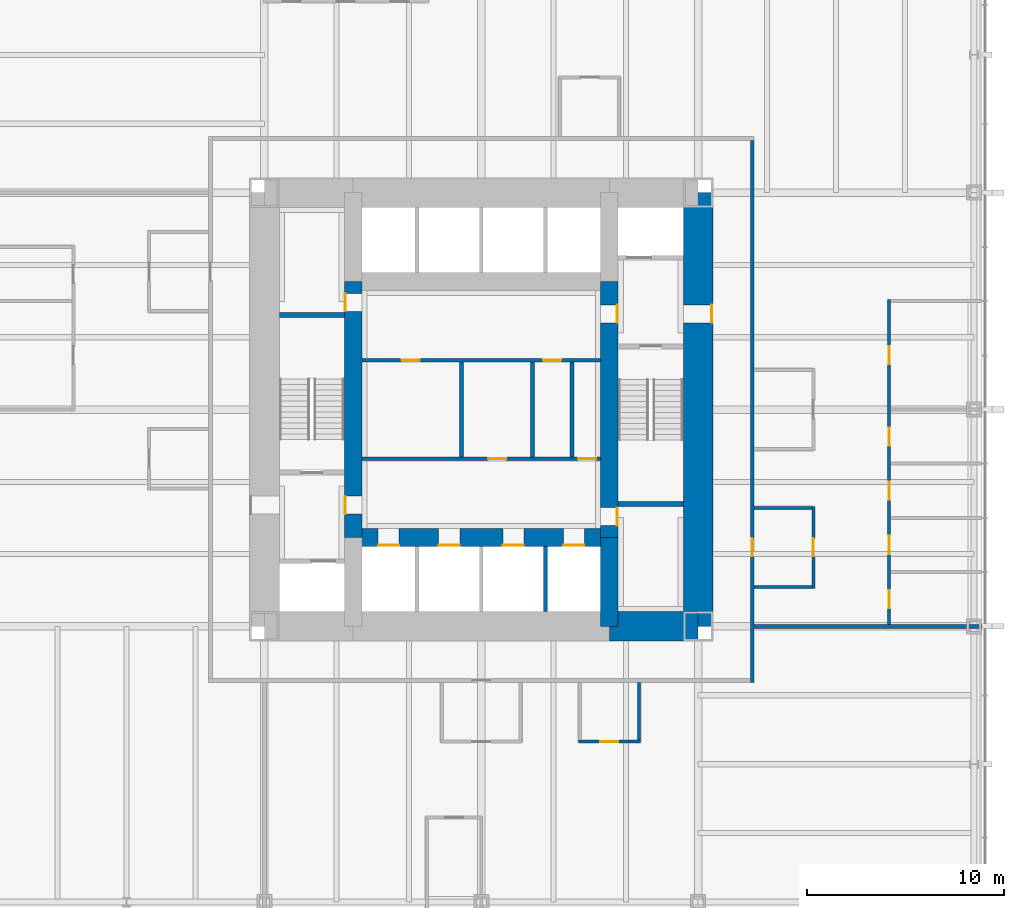
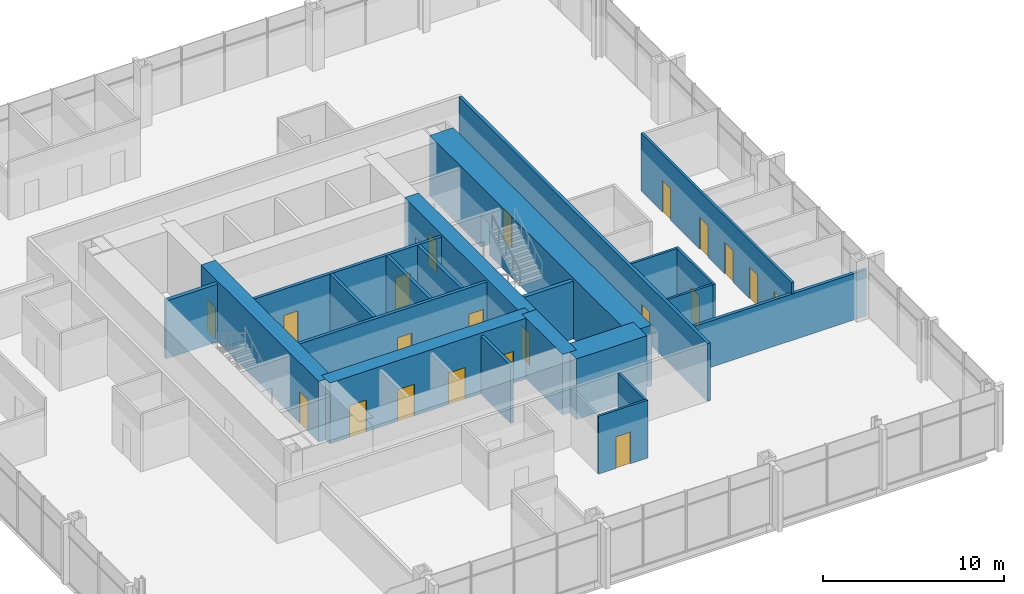
# One storey, part 10 of 12: 22 walls, 21 doors, 21 openings.
"""IFC4 building model written with IfcOpenShell, lengths in metres."""

from ifc_helpers import new_model, si_unit, direction, frame, frame_2d, origin, place, context, subcontext, project, spatial, rectangle, extrude, material, layer, layer_set, type_object, element, fill, save


model = new_model("IFC4")

# Units and contexts
model_context = context("Model", 3, precision=1e-05, world=origin(), true_north=direction((0.0, 1.0)))
body_context = subcontext(model_context, "Body", "Model", "MODEL_VIEW")
ifc_project = project(units=[si_unit("LENGTHUNIT", "METRE"), si_unit("AREAUNIT", "SQUARE_METRE"), si_unit("VOLUMEUNIT", "CUBIC_METRE"), si_unit("PLANEANGLEUNIT", "RADIAN"), si_unit("MASSUNIT", "GRAM", prefix="KILO")], contexts=[model_context])

# Site, building, storey
site_placement = place(None, origin())
site = spatial("IfcSite", under=ifc_project, at=site_placement, CompositionType="ELEMENT")
building_placement = place(site_placement, origin())
building = spatial("IfcBuilding", under=site, at=building_placement, Name="Trevanion Tower", CompositionType="ELEMENT")
storey_placement = place(building_placement, frame((0.0, 0.0, 32.39990234375)))
storey = spatial("IfcBuildingStorey", under=building, at=storey_placement, Name="L07", CompositionType="ELEMENT", Elevation=32.39990234375)

# Wall, opening, door
ifc_material_1 = material(Name="Concrete 10,000 psi", Category="concrete")
ifc_layer_1 = layer(ifc_material_1, 1.5)
ifc_layer_set_1 = layer_set([ifc_layer_1], Name="CW1 core wall 1500")
wall_type_1 = type_object("IfcWallType", Name="CW1 core wall 1500", PredefinedType="SHEAR", material=ifc_layer_set_1)
wall_1_placement = place(storey_placement, frame((11.0, -11.0, 0.0), z_axis=(0.0, 0.0, 1.0), x_axis=(0.0, 1.0, 0.0)))
wall_1 = element("IfcWall", 1, at=wall_1_placement, inside=storey, type_object=wall_type_1, Name="CW1 CE L07", PredefinedType="SHEAR", context=body_context, shape_type="SweptSolid", body=[
    extrude(rectangle(XDim=22.0, YDim=1.5, at=frame_2d((11.0, 0.0))), origin(), (0.0, 0.0, 1.0), 4.10009765625),
])
opening_1_placement = place(wall_1_placement, frame((15.392578125, 0.0, 0.0)))
opening_1 = element("IfcOpeningElement", 2, at=opening_1_placement, cuts=wall_1, Name="Opening 07-001", PredefinedType="OPENING", context=body_context, shape_type="SweptSolid", body=[
    extrude(rectangle(XDim=0.9150390625, YDim=2.134033203125, at=frame_2d((0.45751953125, 1.06689453125))), frame((0.0, 0.760009765625, 0.0), z_axis=(0.0, -1.0, 0.0), x_axis=(1.0, 0.0, 0.0)), (0.0, 0.0, 1.0), 1.52001953125),
])
ifc_material_2 = material(Name="Hollow metal, fire rated", Category="steel")
door_type_1 = type_object("IfcDoorType", Name="D3 fire lift lobby door", OperationType="SINGLE_SWING_RIGHT", PredefinedType="DOOR", material=ifc_material_2)
door_1_placement = place(opening_1_placement, origin())
door_1 = element("IfcDoor", 3, at=door_1_placement, inside=storey, type_object=door_type_1, Name="Door 07-001", OperationType="SINGLE_SWING_RIGHT", OverallHeight=2.134033203125, OverallWidth=0.9150390625, PredefinedType="DOOR", context=body_context, shape_type="SweptSolid", body=[
    extrude(rectangle(XDim=0.9150390625, YDim=2.134033203125, at=frame_2d((0.45751953125, 1.06689453125))), frame((0.0, -0.6748046875, 0.0), z_axis=(0.0, -1.0, 0.0), x_axis=(1.0, 0.0, 0.0)), (0.0, 0.0, 1.0), 0.050048828125),
])
fill(opening_1, door_1)

# Walls
wall_2_placement = place(storey_placement, frame((6.5, -11.0, 0.0), z_axis=(0.0, 0.0, 1.0), x_axis=(1.0, 0.0, 0.0)))
element("IfcWall", 4, at=wall_2_placement, inside=storey, type_object=wall_type_1, Name="CW1 CS3 L07", PredefinedType="SHEAR", context=body_context, shape_type="SweptSolid", body=[
    extrude(rectangle(XDim=4.5, YDim=1.5, at=frame_2d((2.25, 0.0))), origin(), (0.0, 0.0, 1.0), 4.10009765625),
])
ifc_material_3 = material(Name="Concrete 10,000 psi", Category="concrete")
ifc_layer_2 = layer(ifc_material_3, 0.89990234375)
ifc_layer_set_2 = layer_set([ifc_layer_2], Name="CW2 core wall 900")
wall_type_2 = type_object("IfcWallType", Name="CW2 core wall 900", PredefinedType="SHEAR", material=ifc_layer_set_2)
wall_3_placement = place(storey_placement, frame((6.5, -11.0, 0.0), z_axis=(0.0, 0.0, 1.0), x_axis=(0.0, 1.0, 0.0)))
element("IfcWall", 5, at=wall_3_placement, inside=storey, type_object=wall_type_2, Name="CW2 RE1 L07", PredefinedType="SHEAR", context=body_context, shape_type="SweptSolid", body=[
    extrude(rectangle(XDim=4.5, YDim=0.89990234375, at=frame_2d((2.25, 0.0))), origin(), (0.0, 0.0, 1.0), 4.10009765625),
])

# Wall, openings, doors
wall_4_placement = place(storey_placement, frame((6.5, -6.5, 0.0), z_axis=(0.0, 0.0, 1.0), x_axis=(0.0, 1.0, 0.0)))
wall_4 = element("IfcWall", 6, at=wall_4_placement, inside=storey, type_object=wall_type_2, Name="CW2 RE2 L07", PredefinedType="SHEAR", context=body_context, shape_type="SweptSolid", body=[
    extrude(rectangle(XDim=13.0, YDim=0.89990234375, at=frame_2d((6.5, 0.0))), origin(), (0.0, 0.0, 1.0), 4.10009765625),
])
opening_2_placement = place(wall_4_placement, frame((10.892578125, 0.0, 0.0)))
opening_2 = element("IfcOpeningElement", 7, at=opening_2_placement, cuts=wall_4, Name="Opening 07-003", PredefinedType="OPENING", context=body_context, shape_type="SweptSolid", body=[
    extrude(rectangle(XDim=0.9150390625, YDim=2.134033203125, at=frame_2d((0.45751953125, 1.06689453125))), frame((0.0, 0.4599609375, 0.0), z_axis=(0.0, -1.0, 0.0), x_axis=(1.0, 0.0, 0.0)), (0.0, 0.0, 1.0), 0.919921875),
])
opening_3_placement = place(wall_4_placement, frame((0.610107421875, 0.0, 0.0)))
opening_3 = element("IfcOpeningElement", 8, at=opening_3_placement, cuts=wall_4, Name="Opening 07-009", PredefinedType="OPENING", context=body_context, shape_type="SweptSolid", body=[
    extrude(rectangle(XDim=0.9150390625, YDim=2.134033203125, at=frame_2d((0.45751953125, 1.06689453125))), frame((0.0, 0.4599609375, 0.0), z_axis=(0.0, -1.0, 0.0), x_axis=(1.0, 0.0, 0.0)), (0.0, 0.0, 1.0), 0.919921875),
])
door_2_placement = place(opening_2_placement, origin())
door_2 = element("IfcDoor", 9, at=door_2_placement, inside=storey, type_object=door_type_1, Name="Door 07-003", OperationType="SINGLE_SWING_RIGHT", OverallHeight=2.134033203125, OverallWidth=0.9150390625, PredefinedType="DOOR", context=body_context, shape_type="SweptSolid", body=[
    extrude(rectangle(XDim=0.9150390625, YDim=2.134033203125, at=frame_2d((0.45751953125, 1.06689453125))), frame((0.0, -0.375, 0.0), z_axis=(0.0, -1.0, 0.0), x_axis=(1.0, 0.0, 0.0)), (0.0, 0.0, 1.0), 0.050048828125),
])
fill(opening_2, door_2)
ifc_material_4 = material(Name="Hollow metal, fire rated", Category="steel")
door_type_2 = type_object("IfcDoorType", Name="D5 service room door", OperationType="SINGLE_SWING_RIGHT", PredefinedType="DOOR", material=ifc_material_4)
door_3_placement = place(opening_3_placement, origin())
door_3 = element("IfcDoor", 10, at=door_3_placement, inside=storey, type_object=door_type_2, Name="Door 07-009", OperationType="SINGLE_SWING_RIGHT", OverallHeight=2.134033203125, OverallWidth=0.9150390625, PredefinedType="DOOR", context=body_context, shape_type="SweptSolid", body=[
    extrude(rectangle(XDim=0.9150390625, YDim=2.134033203125, at=frame_2d((0.45751953125, 1.06689453125))), frame((0.0, -0.375, 0.0), z_axis=(0.0, -1.0, 0.0), x_axis=(1.0, 0.0, 0.0)), (0.0, 0.0, 1.0), 0.050048828125),
])
fill(opening_3, door_3)

wall_5_placement = place(storey_placement, frame((-6.5, 6.5, 0.0), z_axis=(0.0, 0.0, 1.0), x_axis=(0.0, -1.0, 0.0)))
wall_5 = element("IfcWall", 11, at=wall_5_placement, inside=storey, type_object=wall_type_2, Name="CW2 RW2 L07", PredefinedType="SHEAR", context=body_context, shape_type="SweptSolid", body=[
    extrude(rectangle(XDim=13.0, YDim=0.89990234375, at=frame_2d((6.5, 0.0))), origin(), (0.0, 0.0, 1.0), 4.10009765625),
])
opening_4_placement = place(wall_5_placement, frame((10.892578125, 0.0, 0.0)))
opening_4 = element("IfcOpeningElement", 12, at=opening_4_placement, cuts=wall_5, Name="Opening 07-004", PredefinedType="OPENING", context=body_context, shape_type="SweptSolid", body=[
    extrude(rectangle(XDim=0.9150390625, YDim=2.134033203125, at=frame_2d((0.45751953125, 1.06689453125))), frame((0.0, 0.4599609375, 0.0), z_axis=(0.0, -1.0, 0.0), x_axis=(1.0, 0.0, 0.0)), (0.0, 0.0, 1.0), 0.919921875),
])
opening_5_placement = place(wall_5_placement, frame((0.610107421875, 0.0, 0.0)))
opening_5 = element("IfcOpeningElement", 13, at=opening_5_placement, cuts=wall_5, Name="Opening 07-010", PredefinedType="OPENING", context=body_context, shape_type="SweptSolid", body=[
    extrude(rectangle(XDim=0.9150390625, YDim=2.134033203125, at=frame_2d((0.45751953125, 1.06689453125))), frame((0.0, 0.4599609375, 0.0), z_axis=(0.0, -1.0, 0.0), x_axis=(1.0, 0.0, 0.0)), (0.0, 0.0, 1.0), 0.919921875),
])
door_4_placement = place(opening_4_placement, origin())
door_4 = element("IfcDoor", 14, at=door_4_placement, inside=storey, type_object=door_type_1, Name="Door 07-004", OperationType="SINGLE_SWING_RIGHT", OverallHeight=2.134033203125, OverallWidth=0.9150390625, PredefinedType="DOOR", context=body_context, shape_type="SweptSolid", body=[
    extrude(rectangle(XDim=0.9150390625, YDim=2.134033203125, at=frame_2d((0.45751953125, 1.06689453125))), frame((0.0, -0.375, 0.0), z_axis=(0.0, -1.0, 0.0), x_axis=(1.0, 0.0, 0.0)), (0.0, 0.0, 1.0), 0.050048828125),
])
fill(opening_4, door_4)
door_5_placement = place(opening_5_placement, origin())
door_5 = element("IfcDoor", 15, at=door_5_placement, inside=storey, type_object=door_type_2, Name="Door 07-010", OperationType="SINGLE_SWING_RIGHT", OverallHeight=2.134033203125, OverallWidth=0.9150390625, PredefinedType="DOOR", context=body_context, shape_type="SweptSolid", body=[
    extrude(rectangle(XDim=0.9150390625, YDim=2.134033203125, at=frame_2d((0.45751953125, 1.06689453125))), frame((0.0, -0.375, 0.0), z_axis=(0.0, -1.0, 0.0), x_axis=(1.0, 0.0, 0.0)), (0.0, 0.0, 1.0), 0.050048828125),
])
fill(opening_5, door_5)

wall_6_placement = place(storey_placement, frame((-6.5, -6.5, 0.0), z_axis=(0.0, 0.0, 1.0), x_axis=(1.0, 0.0, 0.0)))
wall_6 = element("IfcWall", 16, at=wall_6_placement, inside=storey, type_object=wall_type_2, Name="CW2 RS L07", PredefinedType="SHEAR", context=body_context, shape_type="SweptSolid", body=[
    extrude(rectangle(XDim=13.0, YDim=0.89990234375, at=frame_2d((6.5, 0.0))), origin(), (0.0, 0.0, 1.0), 4.10009765625),
])
opening_6_placement = place(wall_6_placement, frame((1.2666015625, 0.0, 0.0)))
opening_6 = element("IfcOpeningElement", 17, at=opening_6_placement, cuts=wall_6, Name="Opening 07-011", PredefinedType="OPENING", context=body_context, shape_type="SweptSolid", body=[
    extrude(rectangle(XDim=1.06689453125, YDim=2.134033203125, at=frame_2d((0.533447265625, 1.06689453125))), frame((0.0, 0.4599609375, 0.0), z_axis=(0.0, -1.0, 0.0), x_axis=(1.0, 0.0, 0.0)), (0.0, 0.0, 1.0), 0.919921875),
])
opening_7_placement = place(wall_6_placement, frame((4.341552734375, 0.0, 0.0)))
opening_7 = element("IfcOpeningElement", 18, at=opening_7_placement, cuts=wall_6, Name="Opening 07-012", PredefinedType="OPENING", context=body_context, shape_type="SweptSolid", body=[
    extrude(rectangle(XDim=1.06689453125, YDim=2.134033203125, at=frame_2d((0.533447265625, 1.06689453125))), frame((0.0, 0.4599609375, 0.0), z_axis=(0.0, -1.0, 0.0), x_axis=(1.0, 0.0, 0.0)), (0.0, 0.0, 1.0), 0.919921875),
])
opening_8_placement = place(wall_6_placement, frame((7.591552734375, 0.0, 0.0)))
opening_8 = element("IfcOpeningElement", 19, at=opening_8_placement, cuts=wall_6, Name="Opening 07-013", PredefinedType="OPENING", context=body_context, shape_type="SweptSolid", body=[
    extrude(rectangle(XDim=1.06689453125, YDim=2.134033203125, at=frame_2d((0.533447265625, 1.06689453125))), frame((0.0, 0.4599609375, 0.0), z_axis=(0.0, -1.0, 0.0), x_axis=(1.0, 0.0, 0.0)), (0.0, 0.0, 1.0), 0.919921875),
])
opening_9_placement = place(wall_6_placement, frame((10.66650390625, 0.0, 0.0)))
opening_9 = element("IfcOpeningElement", 20, at=opening_9_placement, cuts=wall_6, Name="Opening 07-014", PredefinedType="OPENING", context=body_context, shape_type="SweptSolid", body=[
    extrude(rectangle(XDim=1.06689453125, YDim=2.134033203125, at=frame_2d((0.533447265625, 1.06689453125))), frame((0.0, 0.4599609375, 0.0), z_axis=(0.0, -1.0, 0.0), x_axis=(1.0, 0.0, 0.0)), (0.0, 0.0, 1.0), 0.919921875),
])
ifc_material_5 = material(Name="Stainless steel, fire rated", Category="steel")
door_type_3 = type_object("IfcDoorType", Name="LD1 lift landing door", OperationType="SLIDING_TO_LEFT", PredefinedType="DOOR", material=ifc_material_5)
door_6_placement = place(opening_6_placement, origin())
door_6 = element("IfcDoor", 21, at=door_6_placement, inside=storey, type_object=door_type_3, Name="Door 07-011", OperationType="SLIDING_TO_LEFT", OverallHeight=2.134033203125, OverallWidth=1.06689453125, PredefinedType="DOOR", context=body_context, shape_type="SweptSolid", body=[
    extrude(rectangle(XDim=1.06689453125, YDim=2.134033203125, at=frame_2d((0.533447265625, 1.06689453125))), frame((0.0, -0.375, 0.0), z_axis=(0.0, -1.0, 0.0), x_axis=(1.0, 0.0, 0.0)), (0.0, 0.0, 1.0), 0.050048828125),
])
fill(opening_6, door_6)
door_7_placement = place(opening_7_placement, origin())
door_7 = element("IfcDoor", 22, at=door_7_placement, inside=storey, type_object=door_type_3, Name="Door 07-012", OperationType="SLIDING_TO_LEFT", OverallHeight=2.134033203125, OverallWidth=1.06689453125, PredefinedType="DOOR", context=body_context, shape_type="SweptSolid", body=[
    extrude(rectangle(XDim=1.06689453125, YDim=2.134033203125, at=frame_2d((0.533447265625, 1.06689453125))), frame((0.0, -0.375, 0.0), z_axis=(0.0, -1.0, 0.0), x_axis=(1.0, 0.0, 0.0)), (0.0, 0.0, 1.0), 0.050048828125),
])
fill(opening_7, door_7)
door_8_placement = place(opening_8_placement, origin())
door_8 = element("IfcDoor", 23, at=door_8_placement, inside=storey, type_object=door_type_3, Name="Door 07-013", OperationType="SLIDING_TO_LEFT", OverallHeight=2.134033203125, OverallWidth=1.06689453125, PredefinedType="DOOR", context=body_context, shape_type="SweptSolid", body=[
    extrude(rectangle(XDim=1.06689453125, YDim=2.134033203125, at=frame_2d((0.533447265625, 1.06689453125))), frame((0.0, -0.375, 0.0), z_axis=(0.0, -1.0, 0.0), x_axis=(1.0, 0.0, 0.0)), (0.0, 0.0, 1.0), 0.050048828125),
])
fill(opening_8, door_8)
door_9_placement = place(opening_9_placement, origin())
door_9 = element("IfcDoor", 24, at=door_9_placement, inside=storey, type_object=door_type_3, Name="Door 07-014", OperationType="SLIDING_TO_LEFT", OverallHeight=2.134033203125, OverallWidth=1.06689453125, PredefinedType="DOOR", context=body_context, shape_type="SweptSolid", body=[
    extrude(rectangle(XDim=1.06689453125, YDim=2.134033203125, at=frame_2d((0.533447265625, 1.06689453125))), frame((0.0, -0.375, 0.0), z_axis=(0.0, -1.0, 0.0), x_axis=(1.0, 0.0, 0.0)), (0.0, 0.0, 1.0), 0.050048828125),
])
fill(opening_9, door_9)

ifc_material_6 = material(Name="Gypsum board on steel studs", Category="steel")
ifc_layer_3 = layer(ifc_material_6, 0.14990234375)
ifc_layer_set_3 = layer_set([ifc_layer_3], Name="PT1 partition 150")
wall_type_3 = type_object("IfcWallType", Name="PT1 partition 150", PredefinedType="PARTITIONING", material=ifc_layer_set_3)
wall_7_placement = place(storey_placement, frame((20.699951171875, -11.074951171875, 0.0), z_axis=(0.0, 0.0, 1.0), x_axis=(0.0, 1.0, 0.0)))
wall_7 = element("IfcWall", 25, at=wall_7_placement, inside=storey, type_object=wall_type_3, Name="PT1 L07 FC0F", PredefinedType="PARTITIONING", context=body_context, shape_type="SweptSolid", body=[
    extrude(rectangle(XDim=16.64990234375, YDim=0.14990234375, at=frame_2d((8.324951171875, 0.0))), origin(), (0.0, 0.0, 1.0), 3.91015625),
])
opening_10_placement = place(wall_7_placement, frame((0.992431640625, 0.0, 0.0)))
opening_10 = element("IfcOpeningElement", 26, at=opening_10_placement, cuts=wall_7, Name="Opening 07-019", PredefinedType="OPENING", context=body_context, shape_type="SweptSolid", body=[
    extrude(rectangle(XDim=0.9150390625, YDim=2.134033203125, at=frame_2d((0.45751953125, 1.06689453125))), frame((0.0, 0.0849609375, 0.0), z_axis=(0.0, -1.0, 0.0), x_axis=(1.0, 0.0, 0.0)), (0.0, 0.0, 1.0), 0.169921875),
])
opening_11_placement = place(wall_7_placement, frame((3.742431640625, 0.0, 0.0)))
opening_11 = element("IfcOpeningElement", 27, at=opening_11_placement, cuts=wall_7, Name="Opening 07-020", PredefinedType="OPENING", context=body_context, shape_type="SweptSolid", body=[
    extrude(rectangle(XDim=0.9150390625, YDim=2.134033203125, at=frame_2d((0.45751953125, 1.06689453125))), frame((0.0, 0.0849609375, 0.0), z_axis=(0.0, -1.0, 0.0), x_axis=(1.0, 0.0, 0.0)), (0.0, 0.0, 1.0), 0.169921875),
])
opening_12_placement = place(wall_7_placement, frame((6.492431640625, 0.0, 0.0)))
opening_12 = element("IfcOpeningElement", 28, at=opening_12_placement, cuts=wall_7, Name="Opening 07-021", PredefinedType="OPENING", context=body_context, shape_type="SweptSolid", body=[
    extrude(rectangle(XDim=0.9150390625, YDim=2.134033203125, at=frame_2d((0.45751953125, 1.06689453125))), frame((0.0, 0.0849609375, 0.0), z_axis=(0.0, -1.0, 0.0), x_axis=(1.0, 0.0, 0.0)), (0.0, 0.0, 1.0), 0.169921875),
])
opening_13_placement = place(wall_7_placement, frame((9.242431640625, 0.0, 0.0)))
opening_13 = element("IfcOpeningElement", 29, at=opening_13_placement, cuts=wall_7, Name="Opening 07-022", PredefinedType="OPENING", context=body_context, shape_type="SweptSolid", body=[
    extrude(rectangle(XDim=0.9150390625, YDim=2.134033203125, at=frame_2d((0.45751953125, 1.06689453125))), frame((0.0, 0.0849609375, 0.0), z_axis=(0.0, -1.0, 0.0), x_axis=(1.0, 0.0, 0.0)), (0.0, 0.0, 1.0), 0.169921875),
])
opening_14_placement = place(wall_7_placement, frame((13.367431640625, 0.0, 0.0)))
opening_14 = element("IfcOpeningElement", 30, at=opening_14_placement, cuts=wall_7, Name="Opening 07-023", PredefinedType="OPENING", context=body_context, shape_type="SweptSolid", body=[
    extrude(rectangle(XDim=0.9150390625, YDim=2.134033203125, at=frame_2d((0.45751953125, 1.06689453125))), frame((0.0, 0.0849609375, 0.0), z_axis=(0.0, -1.0, 0.0), x_axis=(1.0, 0.0, 0.0)), (0.0, 0.0, 1.0), 0.169921875),
])
ifc_material_7 = material(Name="Timber veneer, solid core", Category="wood")
door_type_4 = type_object("IfcDoorType", Name="D1 office and meeting room door", OperationType="SINGLE_SWING_LEFT", PredefinedType="DOOR", material=ifc_material_7)
door_10_placement = place(opening_10_placement, origin())
door_10 = element("IfcDoor", 31, at=door_10_placement, inside=storey, type_object=door_type_4, Name="Door 07-019", OperationType="SINGLE_SWING_LEFT", OverallHeight=2.134033203125, OverallWidth=0.9150390625, PredefinedType="DOOR", context=body_context, shape_type="SweptSolid", body=[
    extrude(rectangle(XDim=0.9150390625, YDim=2.134033203125, at=frame_2d((0.45751953125, 1.06689453125))), frame((0.0, 0.02490234375, 0.0), z_axis=(0.0, -1.0, 0.0), x_axis=(1.0, 0.0, 0.0)), (0.0, 0.0, 1.0), 0.050048828125),
])
fill(opening_10, door_10)
door_11_placement = place(opening_11_placement, origin())
door_11 = element("IfcDoor", 32, at=door_11_placement, inside=storey, type_object=door_type_4, Name="Door 07-020", OperationType="SINGLE_SWING_LEFT", OverallHeight=2.134033203125, OverallWidth=0.9150390625, PredefinedType="DOOR", context=body_context, shape_type="SweptSolid", body=[
    extrude(rectangle(XDim=0.9150390625, YDim=2.134033203125, at=frame_2d((0.45751953125, 1.06689453125))), frame((0.0, 0.02490234375, 0.0), z_axis=(0.0, -1.0, 0.0), x_axis=(1.0, 0.0, 0.0)), (0.0, 0.0, 1.0), 0.050048828125),
])
fill(opening_11, door_11)
door_12_placement = place(opening_12_placement, origin())
door_12 = element("IfcDoor", 33, at=door_12_placement, inside=storey, type_object=door_type_4, Name="Door 07-021", OperationType="SINGLE_SWING_LEFT", OverallHeight=2.134033203125, OverallWidth=0.9150390625, PredefinedType="DOOR", context=body_context, shape_type="SweptSolid", body=[
    extrude(rectangle(XDim=0.9150390625, YDim=2.134033203125, at=frame_2d((0.45751953125, 1.06689453125))), frame((0.0, 0.02490234375, 0.0), z_axis=(0.0, -1.0, 0.0), x_axis=(1.0, 0.0, 0.0)), (0.0, 0.0, 1.0), 0.050048828125),
])
fill(opening_12, door_12)
door_13_placement = place(opening_13_placement, origin())
door_13 = element("IfcDoor", 34, at=door_13_placement, inside=storey, type_object=door_type_4, Name="Door 07-022", OperationType="SINGLE_SWING_LEFT", OverallHeight=2.134033203125, OverallWidth=0.9150390625, PredefinedType="DOOR", context=body_context, shape_type="SweptSolid", body=[
    extrude(rectangle(XDim=0.9150390625, YDim=2.134033203125, at=frame_2d((0.45751953125, 1.06689453125))), frame((0.0, 0.02490234375, 0.0), z_axis=(0.0, -1.0, 0.0), x_axis=(1.0, 0.0, 0.0)), (0.0, 0.0, 1.0), 0.050048828125),
])
fill(opening_13, door_13)
door_14_placement = place(opening_14_placement, origin())
door_14 = element("IfcDoor", 35, at=door_14_placement, inside=storey, type_object=door_type_4, Name="Door 07-023", OperationType="SINGLE_SWING_LEFT", OverallHeight=2.134033203125, OverallWidth=0.9150390625, PredefinedType="DOOR", context=body_context, shape_type="SweptSolid", body=[
    extrude(rectangle(XDim=0.9150390625, YDim=2.134033203125, at=frame_2d((0.45751953125, 1.06689453125))), frame((0.0, 0.02490234375, 0.0), z_axis=(0.0, -1.0, 0.0), x_axis=(1.0, 0.0, 0.0)), (0.0, 0.0, 1.0), 0.050048828125),
])
fill(opening_14, door_14)

# Wall, opening, door
wall_8_placement = place(storey_placement, frame((16.85009765625, -9.074951171875, 0.0), z_axis=(0.0, 0.0, 1.0), x_axis=(0.0, 1.0, 0.0)))
wall_8 = element("IfcWall", 36, at=wall_8_placement, inside=storey, type_object=wall_type_3, Name="PT1 L07 IN00F", PredefinedType="PARTITIONING", context=body_context, shape_type="SweptSolid", body=[
    extrude(rectangle(XDim=4.14990234375, YDim=0.14990234375, at=frame_2d((2.074951171875, 0.0))), origin(), (0.0, 0.0, 1.0), 3.91015625),
])
opening_15_placement = place(wall_8_placement, frame((1.617431640625, 0.0, 0.0)))
opening_15 = element("IfcOpeningElement", 37, at=opening_15_placement, cuts=wall_8, Name="Opening 07-030", PredefinedType="OPENING", context=body_context, shape_type="SweptSolid", body=[
    extrude(rectangle(XDim=0.9150390625, YDim=2.134033203125, at=frame_2d((0.45751953125, 1.06689453125))), frame((0.0, 0.0849609375, 0.0), z_axis=(0.0, -1.0, 0.0), x_axis=(1.0, 0.0, 0.0)), (0.0, 0.0, 1.0), 0.169921875),
])
door_15_placement = place(opening_15_placement, origin())
door_15 = element("IfcDoor", 38, at=door_15_placement, inside=storey, type_object=door_type_4, Name="Door 07-030", OperationType="SINGLE_SWING_LEFT", OverallHeight=2.134033203125, OverallWidth=0.9150390625, PredefinedType="DOOR", context=body_context, shape_type="SweptSolid", body=[
    extrude(rectangle(XDim=0.9150390625, YDim=2.134033203125, at=frame_2d((0.45751953125, 1.06689453125))), frame((0.0, 0.02490234375, 0.0), z_axis=(0.0, -1.0, 0.0), x_axis=(1.0, 0.0, 0.0)), (0.0, 0.0, 1.0), 0.050048828125),
])
fill(opening_15, door_15)

# Walls
for number, where, z_axis, x_axis, name in (
    (39, (16.77490234375, -9.0, 0.0), (0.0, 0.0, 1.0), (-1.0, 0.0, 0.0), "PT1 L07 IN00S0"),
    (40, (16.77490234375, -5.0, 0.0), (0.0, 0.0, 1.0), (-1.0, 0.0, 0.0), "PT1 L07 IN00S1"),
):
    element("IfcWall", number, at=place(storey_placement, frame(where, z_axis=z_axis, x_axis=x_axis)), inside=storey, type_object=wall_type_3, Name=name, PredefinedType="PARTITIONING", context=body_context, shape_type="SweptSolid", body=[
        extrude(rectangle(XDim=2.9248046875, YDim=0.14990234375, at=frame_2d((1.46240234375, 0.0))), origin(), (0.0, 0.0, 1.0), 3.91015625),
    ])

# Wall, opening, door
wall_9_placement = place(storey_placement, frame((4.925048828125, -16.85009765625, 0.0), z_axis=(0.0, 0.0, 1.0), x_axis=(1.0, 0.0, 0.0)))
wall_9 = element("IfcWall", 41, at=wall_9_placement, inside=storey, type_object=wall_type_3, Name="PT1 L07 IN31F", PredefinedType="PARTITIONING", context=body_context, shape_type="SweptSolid", body=[
    extrude(rectangle(XDim=3.14990234375, YDim=0.14990234375, at=frame_2d((1.574951171875, 0.0))), origin(), (0.0, 0.0, 1.0), 3.91015625),
])
opening_16_placement = place(wall_9_placement, frame((1.117431640625, 0.0, 0.0)))
opening_16 = element("IfcOpeningElement", 42, at=opening_16_placement, cuts=wall_9, Name="Opening 07-038", PredefinedType="OPENING", context=body_context, shape_type="SweptSolid", body=[
    extrude(rectangle(XDim=0.9150390625, YDim=2.134033203125, at=frame_2d((0.45751953125, 1.06689453125))), frame((0.0, 0.0849609375, 0.0), z_axis=(0.0, -1.0, 0.0), x_axis=(1.0, 0.0, 0.0)), (0.0, 0.0, 1.0), 0.169921875),
])
door_16_placement = place(opening_16_placement, origin())
door_16 = element("IfcDoor", 43, at=door_16_placement, inside=storey, type_object=door_type_4, Name="Door 07-038", OperationType="SINGLE_SWING_LEFT", OverallHeight=2.134033203125, OverallWidth=0.9150390625, PredefinedType="DOOR", context=body_context, shape_type="SweptSolid", body=[
    extrude(rectangle(XDim=0.9150390625, YDim=2.134033203125, at=frame_2d((0.45751953125, 1.06689453125))), frame((0.0, 0.02490234375, 0.0), z_axis=(0.0, -1.0, 0.0), x_axis=(1.0, 0.0, 0.0)), (0.0, 0.0, 1.0), 0.050048828125),
])
fill(opening_16, door_16)

# Walls
wall_10_placement = place(storey_placement, frame((8.0, -16.77490234375, 0.0), z_axis=(0.0, 0.0, 1.0), x_axis=(0.0, 1.0, 0.0)))
element("IfcWall", 44, at=wall_10_placement, inside=storey, type_object=wall_type_3, Name="PT1 L07 IN31S1", PredefinedType="PARTITIONING", context=body_context, shape_type="SweptSolid", body=[
    extrude(rectangle(XDim=2.9248046875, YDim=0.14990234375, at=frame_2d((1.46240234375, 0.0))), origin(), (0.0, 0.0, 1.0), 3.91015625),
])
ifc_material_8 = material(Name="Concrete masonry, grouted", Category="masonry")
ifc_layer_4 = layer(ifc_material_8, 0.199951171875)
ifc_layer_set_4 = layer_set([ifc_layer_4], Name="PT2 partition 200")
wall_type_4 = type_object("IfcWallType", Name="PT2 partition 200", PredefinedType="PARTITIONING", material=ifc_layer_set_4)
for number, where, z_axis, x_axis, name in (
    (45, (-1.0, -2.39990234375, 0.0), (0.0, 0.0, 1.0), (0.0, 1.0, 0.0), "PT2 L07 TP1"),
    (46, (2.60009765625, -2.39990234375, 0.0), (0.0, 0.0, 1.0), (0.0, 1.0, 0.0), "PT2 L07 TP2"),
    (47, (4.60009765625, -2.39990234375, 0.0), (0.0, 0.0, 1.0), (0.0, 1.0, 0.0), "PT2 L07 TP3"),
):
    element("IfcWall", number, at=place(storey_placement, frame(where, z_axis=z_axis, x_axis=x_axis)), inside=storey, type_object=wall_type_4, Name=name, PredefinedType="PARTITIONING", context=body_context, shape_type="SweptSolid", body=[
        extrude(rectangle(XDim=4.7998046875, YDim=0.199951171875, at=frame_2d((2.39990234375, 0.0))), origin(), (0.0, 0.0, 1.0), 3.91015625),
    ])

# Wall, openings, doors
ifc_material_9 = material(Name="Concrete masonry, grouted", Category="masonry")
ifc_layer_5 = layer(ifc_material_9, 0.199951171875)
ifc_layer_set_5 = layer_set([ifc_layer_5], Name="PT2 partition 200 1 HR")
wall_type_5 = type_object("IfcWallType", Name="PT2 partition 200 1 HR", PredefinedType="PARTITIONING", material=ifc_layer_set_5)
wall_11_placement = place(storey_placement, frame((-6.050048828125, 2.5, 0.0), z_axis=(0.0, 0.0, 1.0), x_axis=(1.0, 0.0, 0.0)))
wall_11 = element("IfcWall", 48, at=wall_11_placement, inside=storey, type_object=wall_type_5, Name="PT2 L07 CP1", PredefinedType="PARTITIONING", context=body_context, shape_type="SweptSolid", body=[
    extrude(rectangle(XDim=12.10009765625, YDim=0.199951171875, at=frame_2d((6.050048828125, 0.0))), origin(), (0.0, 0.0, 1.0), 3.91015625),
])
opening_17_placement = place(wall_11_placement, frame((2.017578125, 0.0, 0.0)))
opening_17 = element("IfcOpeningElement", 49, at=opening_17_placement, cuts=wall_11, Name="Opening 07-015", PredefinedType="OPENING", context=body_context, shape_type="SweptSolid", body=[
    extrude(rectangle(XDim=0.9150390625, YDim=2.134033203125, at=frame_2d((0.45751953125, 1.06689453125))), frame((0.0, 0.10986328125, 0.0), z_axis=(0.0, -1.0, 0.0), x_axis=(1.0, 0.0, 0.0)), (0.0, 0.0, 1.0), 0.219970703125),
])
opening_18_placement = place(wall_11_placement, frame((9.1923828125, 0.0, 0.0)))
opening_18 = element("IfcOpeningElement", 50, at=opening_18_placement, cuts=wall_11, Name="Opening 07-017", PredefinedType="OPENING", context=body_context, shape_type="SweptSolid", body=[
    extrude(rectangle(XDim=0.9150390625, YDim=2.134033203125, at=frame_2d((0.45751953125, 1.06689453125))), frame((0.0, 0.10986328125, 0.0), z_axis=(0.0, -1.0, 0.0), x_axis=(1.0, 0.0, 0.0)), (0.0, 0.0, 1.0), 0.219970703125),
])
ifc_material_10 = material(Name="Plastic laminate on fire-rated core", Category="wood")
door_type_5 = type_object("IfcDoorType", Name="D12 toilet door in a one hour wall", OperationType="SINGLE_SWING_LEFT", PredefinedType="DOOR", material=ifc_material_10)
door_17_placement = place(opening_17_placement, origin())
door_17 = element("IfcDoor", 51, at=door_17_placement, inside=storey, type_object=door_type_5, Name="Door 07-015", OperationType="SINGLE_SWING_LEFT", OverallHeight=2.134033203125, OverallWidth=0.9150390625, PredefinedType="DOOR", context=body_context, shape_type="SweptSolid", body=[
    extrude(rectangle(XDim=0.9150390625, YDim=2.134033203125, at=frame_2d((0.45751953125, 1.06689453125))), frame((0.0, 0.02490234375, 0.0), z_axis=(0.0, -1.0, 0.0), x_axis=(1.0, 0.0, 0.0)), (0.0, 0.0, 1.0), 0.050048828125),
])
fill(opening_17, door_17)
door_18_placement = place(opening_18_placement, origin())
door_18 = element("IfcDoor", 52, at=door_18_placement, inside=storey, type_object=door_type_5, Name="Door 07-017", OperationType="SINGLE_SWING_LEFT", OverallHeight=2.134033203125, OverallWidth=0.9150390625, PredefinedType="DOOR", context=body_context, shape_type="SweptSolid", body=[
    extrude(rectangle(XDim=0.9150390625, YDim=2.134033203125, at=frame_2d((0.45751953125, 1.06689453125))), frame((0.0, 0.02490234375, 0.0), z_axis=(0.0, -1.0, 0.0), x_axis=(1.0, 0.0, 0.0)), (0.0, 0.0, 1.0), 0.050048828125),
])
fill(opening_18, door_18)

wall_12_placement = place(storey_placement, frame((6.050048828125, -2.5, 0.0), z_axis=(0.0, 0.0, 1.0), x_axis=(-1.0, 0.0, 0.0)))
wall_12 = element("IfcWall", 53, at=wall_12_placement, inside=storey, type_object=wall_type_5, Name="PT2 L07 CP2", PredefinedType="PARTITIONING", context=body_context, shape_type="SweptSolid", body=[
    extrude(rectangle(XDim=12.10009765625, YDim=0.199951171875, at=frame_2d((6.050048828125, 0.0))), origin(), (0.0, 0.0, 1.0), 3.91015625),
])
opening_19_placement = place(wall_12_placement, frame((4.79248046875, 0.0, 0.0)))
opening_19 = element("IfcOpeningElement", 54, at=opening_19_placement, cuts=wall_12, Name="Opening 07-016", PredefinedType="OPENING", context=body_context, shape_type="SweptSolid", body=[
    extrude(rectangle(XDim=0.9150390625, YDim=2.134033203125, at=frame_2d((0.45751953125, 1.06689453125))), frame((0.0, 0.10986328125, 0.0), z_axis=(0.0, -1.0, 0.0), x_axis=(1.0, 0.0, 0.0)), (0.0, 0.0, 1.0), 0.219970703125),
])
opening_20_placement = place(wall_12_placement, frame((0.217529296875, 0.0, 0.0)))
opening_20 = element("IfcOpeningElement", 55, at=opening_20_placement, cuts=wall_12, Name="Opening 07-018", PredefinedType="OPENING", context=body_context, shape_type="SweptSolid", body=[
    extrude(rectangle(XDim=0.9150390625, YDim=2.134033203125, at=frame_2d((0.45751953125, 1.06689453125))), frame((0.0, 0.10986328125, 0.0), z_axis=(0.0, -1.0, 0.0), x_axis=(1.0, 0.0, 0.0)), (0.0, 0.0, 1.0), 0.219970703125),
])
door_19_placement = place(opening_19_placement, origin())
door_19 = element("IfcDoor", 56, at=door_19_placement, inside=storey, type_object=door_type_5, Name="Door 07-016", OperationType="SINGLE_SWING_LEFT", OverallHeight=2.134033203125, OverallWidth=0.9150390625, PredefinedType="DOOR", context=body_context, shape_type="SweptSolid", body=[
    extrude(rectangle(XDim=0.9150390625, YDim=2.134033203125, at=frame_2d((0.45751953125, 1.06689453125))), frame((0.0, 0.02490234375, 0.0), z_axis=(0.0, -1.0, 0.0), x_axis=(1.0, 0.0, 0.0)), (0.0, 0.0, 1.0), 0.050048828125),
])
fill(opening_19, door_19)
door_20_placement = place(opening_20_placement, origin())
door_20 = element("IfcDoor", 57, at=door_20_placement, inside=storey, type_object=door_type_5, Name="Door 07-018", OperationType="SINGLE_SWING_LEFT", OverallHeight=2.134033203125, OverallWidth=0.9150390625, PredefinedType="DOOR", context=body_context, shape_type="SweptSolid", body=[
    extrude(rectangle(XDim=0.9150390625, YDim=2.134033203125, at=frame_2d((0.45751953125, 1.06689453125))), frame((0.0, 0.02490234375, 0.0), z_axis=(0.0, -1.0, 0.0), x_axis=(1.0, 0.0, 0.0)), (0.0, 0.0, 1.0), 0.050048828125),
])
fill(opening_20, door_20)

# Wall, opening, door
wall_13_placement = place(storey_placement, frame((13.75, -13.85009765625, 0.0), z_axis=(0.0, 0.0, 1.0), x_axis=(0.0, 1.0, 0.0)))
wall_13 = element("IfcWall", 58, at=wall_13_placement, inside=storey, type_object=wall_type_5, Name="PT2 L07 OC0", PredefinedType="PARTITIONING", context=body_context, shape_type="SweptSolid", body=[
    extrude(rectangle(XDim=27.5, YDim=0.199951171875, at=frame_2d((13.75, 0.0))), origin(), (0.0, 0.0, 1.0), 3.91015625),
])
opening_21_placement = place(wall_13_placement, frame((6.392578125, 0.0, 0.0)))
opening_21 = element("IfcOpeningElement", 59, at=opening_21_placement, cuts=wall_13, Name="Opening 07-031", PredefinedType="OPENING", context=body_context, shape_type="SweptSolid", body=[
    extrude(rectangle(XDim=0.9150390625, YDim=2.134033203125, at=frame_2d((0.45751953125, 1.06689453125))), frame((0.0, 0.10986328125, 0.0), z_axis=(0.0, -1.0, 0.0), x_axis=(1.0, 0.0, 0.0)), (0.0, 0.0, 1.0), 0.219970703125),
])
ifc_material_11 = material(Name="Timber veneer, fire rated", Category="wood")
door_type_6 = type_object("IfcDoorType", Name="D10 office door in a one hour wall", OperationType="SINGLE_SWING_LEFT", PredefinedType="DOOR", material=ifc_material_11)
door_21_placement = place(opening_21_placement, origin())
door_21 = element("IfcDoor", 60, at=door_21_placement, inside=storey, type_object=door_type_6, Name="Door 07-031", OperationType="SINGLE_SWING_LEFT", OverallHeight=2.134033203125, OverallWidth=0.9150390625, PredefinedType="DOOR", context=body_context, shape_type="SweptSolid", body=[
    extrude(rectangle(XDim=0.9150390625, YDim=2.134033203125, at=frame_2d((0.45751953125, 1.06689453125))), frame((0.0, 0.02490234375, 0.0), z_axis=(0.0, -1.0, 0.0), x_axis=(1.0, 0.0, 0.0)), (0.0, 0.0, 1.0), 0.050048828125),
])
fill(opening_21, door_21)

# Walls
wall_14_placement = place(storey_placement, frame((13.85009765625, -11.0, 0.0), z_axis=(0.0, 0.0, 1.0), x_axis=(1.0, 0.0, 0.0)))
element("IfcWall", 61, at=wall_14_placement, inside=storey, type_object=wall_type_5, Name="PT2 L07 DM3", PredefinedType="PARTITIONING", context=body_context, shape_type="SweptSolid", body=[
    extrude(rectangle(XDim=11.56494140625, YDim=0.199951171875, at=frame_2d((5.782470703125, 0.0))), origin(), (0.0, 0.0, 1.0), 3.13037109375),
])
ifc_material_12 = material(Name="Concrete masonry, grouted", Category="masonry")
ifc_layer_6 = layer(ifc_material_12, 0.199951171875)
ifc_layer_set_6 = layer_set([ifc_layer_6], Name="PT2 partition 200 2 HR")
wall_type_6 = type_object("IfcWallType", Name="PT2 partition 200 2 HR", PredefinedType="PARTITIONING", material=ifc_layer_set_6)
wall_15_placement = place(storey_placement, frame((3.25, -10.25, 0.0), z_axis=(0.0, 0.0, 1.0), x_axis=(0.0, 1.0, 0.0)))
element("IfcWall", 62, at=wall_15_placement, inside=storey, type_object=wall_type_6, Name="PT2 L07 SS2", PredefinedType="PARTITIONING", context=body_context, shape_type="SweptSolid", body=[
    extrude(rectangle(XDim=3.300048828125, YDim=0.199951171875, at=frame_2d((1.64990234375, 0.0))), origin(), (0.0, 0.0, 1.0), 3.91015625),
])
ifc_material_13 = material(Name="Reinforced masonry, fully grouted", Category="masonry")
ifc_layer_7 = layer(ifc_material_13, 0.25)
ifc_layer_set_7 = layer_set([ifc_layer_7], Name="SW1 stair shaft wall 250")
wall_type_7 = type_object("IfcWallType", Name="SW1 stair shaft wall 250", PredefinedType="SOLIDWALL", material=ifc_layer_set_7)
for number, where, z_axis, x_axis, name in (
    (63, (6.949951171875, -4.800048828125, 0.0), (0.0, 0.0, 1.0), (1.0, 0.0, 0.0), "SW1 L07 EP1"),
    (64, (-6.949951171875, 4.800048828125, 0.0), (0.0, 0.0, 1.0), (-1.0, 0.0, 0.0), "SW1 L07 WP1"),
):
    element("IfcWall", number, at=place(storey_placement, frame(where, z_axis=z_axis, x_axis=x_axis)), inside=storey, type_object=wall_type_7, Name=name, PredefinedType="SOLIDWALL", context=body_context, shape_type="SweptSolid", body=[
        extrude(rectangle(XDim=3.300048828125, YDim=0.25, at=frame_2d((1.64990234375, 0.0))), origin(), (0.0, 0.0, 1.0), 3.91015625),
    ])

save(model, "model.ifc")
